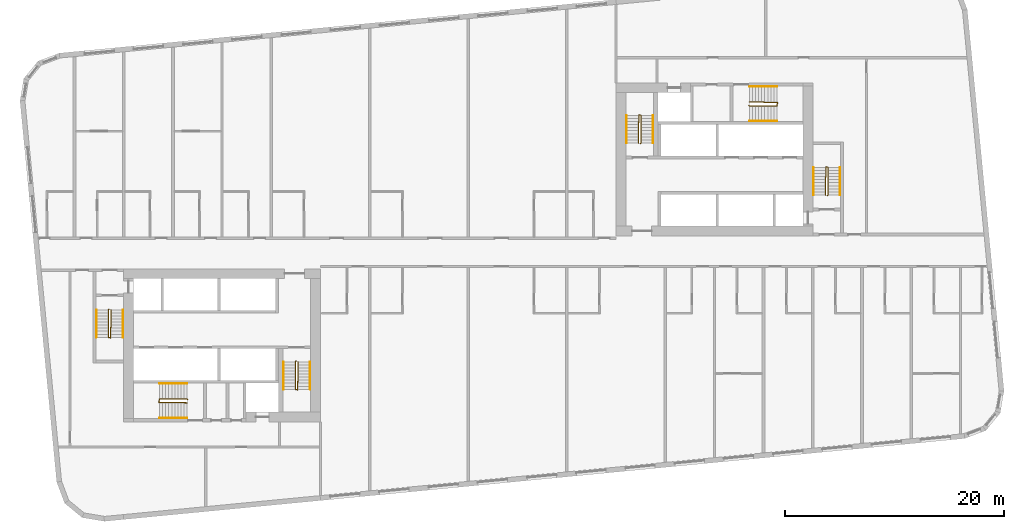
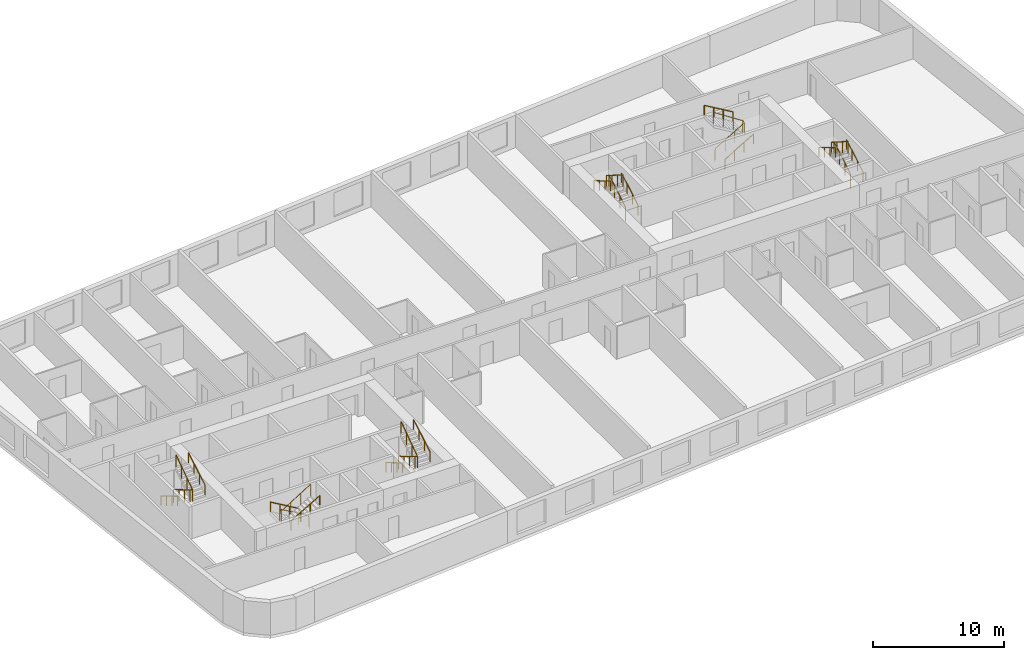
# One storey, part 12 of 12: 18 railings.
"""IFC4 building model written with IfcOpenShell, lengths in metres."""

from ifc_helpers import new_model, si_unit, direction, frame, origin, origin_2d, place, context, subcontext, project, spatial, circle, extrude, material, type_object, element, save


model = new_model("IFC4")

# Units and contexts
model_context = context("Model", 3, precision=1e-05, world=origin(), true_north=direction((0.0, 1.0)))
body_context = subcontext(model_context, "Body", "Model", "MODEL_VIEW")
ifc_project = project(units=[si_unit("LENGTHUNIT", "METRE"), si_unit("AREAUNIT", "SQUARE_METRE"), si_unit("VOLUMEUNIT", "CUBIC_METRE"), si_unit("PLANEANGLEUNIT", "RADIAN"), si_unit("MASSUNIT", "GRAM", prefix="KILO")], contexts=[model_context])

# Site, building, storey
site_placement = place(None, origin())
site = spatial("IfcSite", under=ifc_project, at=site_placement, CompositionType="ELEMENT")
building_placement = place(site_placement, origin())
building = spatial("IfcBuilding", under=site, at=building_placement, Name="Kajstack Hotel Tower", CompositionType="ELEMENT")
storey_placement = place(building_placement, frame((0.0, 0.0, 127.300048828125)))
storey = spatial("IfcBuildingStorey", under=building, at=storey_placement, Name="L28", CompositionType="ELEMENT", Elevation=127.300048828125)

# Railings
ifc_material = material(Name="Steel S355J2", Category="steel")
railing_type_1 = type_object("IfcRailingType", Name="Stair guard 1100", PredefinedType="GUARDRAIL", material=ifc_material)
railing_1_placement = place(storey_placement, frame((-32.85009765625, -5.199951171875, 0.0)))
element("IfcRailing", 1, at=railing_1_placement, inside=storey, type_object=railing_type_1, Name="L28 W1 stair guard 1", PredefinedType="GUARDRAIL", context=body_context, shape_type="SweptSolid", body=[
    extrude(circle(Radius=0.02392578125, at=origin_2d()), frame((0.0, 0.0, 1.076171875), z_axis=(-0.277450376394, -0.278810427259, 0.919394384522), x_axis=(0.708833529934, -0.705375805398, 0.0)), (0.0, 0.0, 1.0), 0.179443359375),
    extrude(circle(Radius=0.02392578125, at=origin_2d()), frame((-0.0498046875, -0.050048828125, 1.2412109375), z_axis=(0.0, -0.861560626758, 0.507654692109), x_axis=(1.0, 0.0, 0.0)), (0.0, 0.0, 1.0), 2.925048828125),
    extrude(circle(Radius=0.02392578125, at=origin_2d()), frame((-0.0498046875, -2.570068359375, 2.72607421875), z_axis=(0.970072785993, -0.242814311512, 0.0), x_axis=(0.242814311512, 0.970072785993, 0.0)), (0.0, 0.0, 1.0), 0.2060546875),
    extrude(circle(Radius=0.02392578125, at=origin_2d()), frame((0.150146484375, -2.6201171875, 2.72607421875), z_axis=(0.016384601254, 0.84136925563, 0.540212292087), x_axis=(-0.999810440751, 0.019470042781, 0.0)), (0.0, 0.0, 1.0), 3.0546875),
    extrude(circle(Radius=0.02099609375, at=origin_2d()), origin(), (0.0, 0.0, 1.0), 1.052001953125),
    extrude(circle(Radius=0.02099609375, at=origin_2d()), frame((-0.0498046875, -0.050048828125, 0.1650390625)), (0.0, 0.0, 1.0), 1.052001953125),
    extrude(circle(Radius=0.02099609375, at=origin_2d()), frame((-0.0498046875, -0.89013671875, 0.659912109375)), (0.0, 0.0, 1.0), 1.052001953125),
    extrude(circle(Radius=0.02099609375, at=origin_2d()), frame((-0.0498046875, -1.72998046875, 1.155029296875)), (0.0, 0.0, 1.0), 1.052001953125),
    extrude(circle(Radius=0.02099609375, at=origin_2d()), frame((-0.0498046875, -2.570068359375, 1.64990234375)), (0.0, 0.0, 1.0), 1.052001953125),
    extrude(circle(Radius=0.02099609375, at=origin_2d()), frame((0.150146484375, -2.6201171875, 1.64990234375)), (0.0, 0.0, 1.0), 1.052001953125),
    extrude(circle(Radius=0.02099609375, at=origin_2d()), frame((0.166748046875, -1.763427734375, 2.199951171875)), (0.0, 0.0, 1.0), 1.052001953125),
    extrude(circle(Radius=0.02099609375, at=origin_2d()), frame((0.18359375, -0.90673828125, 2.75)), (0.0, 0.0, 1.0), 1.052001953125),
    extrude(circle(Radius=0.02099609375, at=origin_2d()), frame((0.2001953125, -0.050048828125, 3.300048828125)), (0.0, 0.0, 1.0), 1.052001953125),
])
railing_2_placement = place(storey_placement, frame((-15.75, -9.949951171875, 0.0)))
element("IfcRailing", 2, at=railing_2_placement, inside=storey, type_object=railing_type_1, Name="L28 W2 stair guard 1", PredefinedType="GUARDRAIL", context=body_context, shape_type="SweptSolid", body=[
    extrude(circle(Radius=0.02392578125, at=origin_2d()), frame((0.0, 0.0, 1.076171875), z_axis=(-0.278705021027, -0.278705021027, 0.919046801044), x_axis=(0.707106781187, -0.707106781187, 0.0)), (0.0, 0.0, 1.0), 0.1796875),
    extrude(circle(Radius=0.02392578125, at=origin_2d()), frame((-0.050048828125, -0.050048828125, 1.2412109375), z_axis=(0.0, -0.861560626758, 0.507654692109), x_axis=(1.0, 0.0, 0.0)), (0.0, 0.0, 1.0), 2.925048828125),
    extrude(circle(Radius=0.02392578125, at=origin_2d()), frame((-0.050048828125, -2.570068359375, 2.72607421875), z_axis=(0.970072785993, -0.242814311512, 0.0), x_axis=(0.242814311512, 0.970072785993, 0.0)), (0.0, 0.0, 1.0), 0.2060546875),
    extrude(circle(Radius=0.02392578125, at=origin_2d()), frame((0.14990234375, -2.6201171875, 2.72607421875), z_axis=(0.016384601254, 0.84136925563, 0.540212292087), x_axis=(-0.999810440751, 0.019470042781, 0.0)), (0.0, 0.0, 1.0), 3.0546875),
    extrude(circle(Radius=0.02099609375, at=origin_2d()), origin(), (0.0, 0.0, 1.0), 1.052001953125),
    extrude(circle(Radius=0.02099609375, at=origin_2d()), frame((-0.050048828125, -0.050048828125, 0.1650390625)), (0.0, 0.0, 1.0), 1.052001953125),
    extrude(circle(Radius=0.02099609375, at=origin_2d()), frame((-0.050048828125, -0.89013671875, 0.659912109375)), (0.0, 0.0, 1.0), 1.052001953125),
    extrude(circle(Radius=0.02099609375, at=origin_2d()), frame((-0.050048828125, -1.72998046875, 1.155029296875)), (0.0, 0.0, 1.0), 1.052001953125),
    extrude(circle(Radius=0.02099609375, at=origin_2d()), frame((-0.050048828125, -2.570068359375, 1.64990234375)), (0.0, 0.0, 1.0), 1.052001953125),
    extrude(circle(Radius=0.02099609375, at=origin_2d()), frame((0.14990234375, -2.6201171875, 1.64990234375)), (0.0, 0.0, 1.0), 1.052001953125),
    extrude(circle(Radius=0.02099609375, at=origin_2d()), frame((0.16650390625, -1.763427734375, 2.199951171875)), (0.0, 0.0, 1.0), 1.052001953125),
    extrude(circle(Radius=0.02099609375, at=origin_2d()), frame((0.183349609375, -0.90673828125, 2.75)), (0.0, 0.0, 1.0), 1.052001953125),
    extrude(circle(Radius=0.02099609375, at=origin_2d()), frame((0.199951171875, -0.050048828125, 3.300048828125)), (0.0, 0.0, 1.0), 1.052001953125),
])
railing_3_placement = place(storey_placement, frame((-25.64990234375, -13.449951171875, 0.0)))
element("IfcRailing", 3, at=railing_3_placement, inside=storey, type_object=railing_type_1, Name="L28 W3 stair guard 1", PredefinedType="GUARDRAIL", context=body_context, shape_type="SweptSolid", body=[
    extrude(circle(Radius=0.02392578125, at=origin_2d()), frame((0.0, 0.0, 1.076171875), z_axis=(-0.278705021027, 0.278705021027, 0.919046801044), x_axis=(-0.707106781187, -0.707106781187, 0.0)), (0.0, 0.0, 1.0), 0.1796875),
    extrude(circle(Radius=0.02392578125, at=origin_2d()), frame((-0.050048828125, 0.050048828125, 1.2412109375), z_axis=(-0.861560626758, 0.0, 0.507654692109), x_axis=(0.0, -1.0, 0.0)), (0.0, 0.0, 1.0), 2.925048828125),
    extrude(circle(Radius=0.02392578125, at=origin_2d()), frame((-2.570068359375, 0.050048828125, 2.72607421875), z_axis=(-0.164529134168, -0.986372223864, 0.0), x_axis=(0.986372223864, -0.164529134168, 0.0)), (0.0, 0.0, 1.0), 0.30419921875),
    extrude(circle(Radius=0.02392578125, at=origin_2d()), frame((-2.6201171875, -0.25, 2.72607421875), z_axis=(0.84136925563, -0.016384601254, 0.540212292087), x_axis=(0.019470042781, 0.999810440751, 0.0)), (0.0, 0.0, 1.0), 3.0546875),
    extrude(circle(Radius=0.02099609375, at=origin_2d()), origin(), (0.0, 0.0, 1.0), 1.052001953125),
    extrude(circle(Radius=0.02099609375, at=origin_2d()), frame((-0.050048828125, 0.050048828125, 0.1650390625)), (0.0, 0.0, 1.0), 1.052001953125),
    extrude(circle(Radius=0.02099609375, at=origin_2d()), frame((-0.89013671875, 0.050048828125, 0.659912109375)), (0.0, 0.0, 1.0), 1.052001953125),
    extrude(circle(Radius=0.02099609375, at=origin_2d()), frame((-1.72998046875, 0.050048828125, 1.155029296875)), (0.0, 0.0, 1.0), 1.052001953125),
    extrude(circle(Radius=0.02099609375, at=origin_2d()), frame((-2.570068359375, 0.050048828125, 1.64990234375)), (0.0, 0.0, 1.0), 1.052001953125),
    extrude(circle(Radius=0.02099609375, at=origin_2d()), frame((-2.6201171875, -0.25, 1.64990234375)), (0.0, 0.0, 1.0), 1.052001953125),
    extrude(circle(Radius=0.02099609375, at=origin_2d()), frame((-1.763427734375, -0.2666015625, 2.199951171875)), (0.0, 0.0, 1.0), 1.052001953125),
    extrude(circle(Radius=0.02099609375, at=origin_2d()), frame((-0.90673828125, -0.283447265625, 2.75)), (0.0, 0.0, 1.0), 1.052001953125),
    extrude(circle(Radius=0.02099609375, at=origin_2d()), frame((-0.050048828125, -0.300048828125, 3.300048828125)), (0.0, 0.0, 1.0), 1.052001953125),
])
railing_4_placement = place(storey_placement, frame((32.85009765625, 5.199951171875, 0.0)))
element("IfcRailing", 4, at=railing_4_placement, inside=storey, type_object=railing_type_1, Name="L28 E1 stair guard 1", PredefinedType="GUARDRAIL", context=body_context, shape_type="SweptSolid", body=[
    extrude(circle(Radius=0.02392578125, at=origin_2d()), frame((0.0, 0.0, 1.076171875), z_axis=(0.277450376394, 0.278810427259, 0.919394384522), x_axis=(-0.708833529934, 0.705375805398, 0.0)), (0.0, 0.0, 1.0), 0.179443359375),
    extrude(circle(Radius=0.02392578125, at=origin_2d()), frame((0.0498046875, 0.050048828125, 1.2412109375), z_axis=(0.0, 0.861560626758, 0.507654692109), x_axis=(-1.0, 0.0, 0.0)), (0.0, 0.0, 1.0), 2.925048828125),
    extrude(circle(Radius=0.02392578125, at=origin_2d()), frame((0.0498046875, 2.570068359375, 2.72607421875), z_axis=(-0.970072785993, 0.242814311512, 0.0), x_axis=(-0.242814311512, -0.970072785993, 0.0)), (0.0, 0.0, 1.0), 0.2060546875),
    extrude(circle(Radius=0.02392578125, at=origin_2d()), frame((-0.150146484375, 2.6201171875, 2.72607421875), z_axis=(-0.016384601254, -0.84136925563, 0.540212292087), x_axis=(0.999810440751, -0.019470042781, 0.0)), (0.0, 0.0, 1.0), 3.0546875),
    extrude(circle(Radius=0.02099609375, at=origin_2d()), origin(), (0.0, 0.0, 1.0), 1.052001953125),
    extrude(circle(Radius=0.02099609375, at=origin_2d()), frame((0.0498046875, 0.050048828125, 0.1650390625)), (0.0, 0.0, 1.0), 1.052001953125),
    extrude(circle(Radius=0.02099609375, at=origin_2d()), frame((0.0498046875, 0.89013671875, 0.659912109375)), (0.0, 0.0, 1.0), 1.052001953125),
    extrude(circle(Radius=0.02099609375, at=origin_2d()), frame((0.0498046875, 1.72998046875, 1.155029296875)), (0.0, 0.0, 1.0), 1.052001953125),
    extrude(circle(Radius=0.02099609375, at=origin_2d()), frame((0.0498046875, 2.570068359375, 1.64990234375)), (0.0, 0.0, 1.0), 1.052001953125),
    extrude(circle(Radius=0.02099609375, at=origin_2d()), frame((-0.150146484375, 2.6201171875, 1.64990234375)), (0.0, 0.0, 1.0), 1.052001953125),
    extrude(circle(Radius=0.02099609375, at=origin_2d()), frame((-0.166748046875, 1.763427734375, 2.199951171875)), (0.0, 0.0, 1.0), 1.052001953125),
    extrude(circle(Radius=0.02099609375, at=origin_2d()), frame((-0.18359375, 0.90673828125, 2.75)), (0.0, 0.0, 1.0), 1.052001953125),
    extrude(circle(Radius=0.02099609375, at=origin_2d()), frame((-0.2001953125, 0.050048828125, 3.300048828125)), (0.0, 0.0, 1.0), 1.052001953125),
])
railing_5_placement = place(storey_placement, frame((15.75, 9.949951171875, 0.0)))
element("IfcRailing", 5, at=railing_5_placement, inside=storey, type_object=railing_type_1, Name="L28 E2 stair guard 1", PredefinedType="GUARDRAIL", context=body_context, shape_type="SweptSolid", body=[
    extrude(circle(Radius=0.02392578125, at=origin_2d()), frame((0.0, 0.0, 1.076171875), z_axis=(0.278705021027, 0.278705021027, 0.919046801044), x_axis=(-0.707106781187, 0.707106781187, 0.0)), (0.0, 0.0, 1.0), 0.1796875),
    extrude(circle(Radius=0.02392578125, at=origin_2d()), frame((0.050048828125, 0.050048828125, 1.2412109375), z_axis=(0.0, 0.861560626758, 0.507654692109), x_axis=(-1.0, 0.0, 0.0)), (0.0, 0.0, 1.0), 2.925048828125),
    extrude(circle(Radius=0.02392578125, at=origin_2d()), frame((0.050048828125, 2.570068359375, 2.72607421875), z_axis=(-0.970072785993, 0.242814311512, 0.0), x_axis=(-0.242814311512, -0.970072785993, 0.0)), (0.0, 0.0, 1.0), 0.2060546875),
    extrude(circle(Radius=0.02392578125, at=origin_2d()), frame((-0.14990234375, 2.6201171875, 2.72607421875), z_axis=(-0.016384601254, -0.84136925563, 0.540212292087), x_axis=(0.999810440751, -0.019470042781, 0.0)), (0.0, 0.0, 1.0), 3.0546875),
    extrude(circle(Radius=0.02099609375, at=origin_2d()), origin(), (0.0, 0.0, 1.0), 1.052001953125),
    extrude(circle(Radius=0.02099609375, at=origin_2d()), frame((0.050048828125, 0.050048828125, 0.1650390625)), (0.0, 0.0, 1.0), 1.052001953125),
    extrude(circle(Radius=0.02099609375, at=origin_2d()), frame((0.050048828125, 0.89013671875, 0.659912109375)), (0.0, 0.0, 1.0), 1.052001953125),
    extrude(circle(Radius=0.02099609375, at=origin_2d()), frame((0.050048828125, 1.72998046875, 1.155029296875)), (0.0, 0.0, 1.0), 1.052001953125),
    extrude(circle(Radius=0.02099609375, at=origin_2d()), frame((0.050048828125, 2.570068359375, 1.64990234375)), (0.0, 0.0, 1.0), 1.052001953125),
    extrude(circle(Radius=0.02099609375, at=origin_2d()), frame((-0.14990234375, 2.6201171875, 1.64990234375)), (0.0, 0.0, 1.0), 1.052001953125),
    extrude(circle(Radius=0.02099609375, at=origin_2d()), frame((-0.16650390625, 1.763427734375, 2.199951171875)), (0.0, 0.0, 1.0), 1.052001953125),
    extrude(circle(Radius=0.02099609375, at=origin_2d()), frame((-0.183349609375, 0.90673828125, 2.75)), (0.0, 0.0, 1.0), 1.052001953125),
    extrude(circle(Radius=0.02099609375, at=origin_2d()), frame((-0.199951171875, 0.050048828125, 3.300048828125)), (0.0, 0.0, 1.0), 1.052001953125),
])
railing_6_placement = place(storey_placement, frame((25.64990234375, 13.449951171875, 0.0)))
element("IfcRailing", 6, at=railing_6_placement, inside=storey, type_object=railing_type_1, Name="L28 E3 stair guard 1", PredefinedType="GUARDRAIL", context=body_context, shape_type="SweptSolid", body=[
    extrude(circle(Radius=0.02392578125, at=origin_2d()), frame((0.0, 0.0, 1.076171875), z_axis=(0.278705021027, -0.278705021027, 0.919046801044), x_axis=(0.707106781187, 0.707106781187, 0.0)), (0.0, 0.0, 1.0), 0.1796875),
    extrude(circle(Radius=0.02392578125, at=origin_2d()), frame((0.050048828125, -0.050048828125, 1.2412109375), z_axis=(0.861560626758, 0.0, 0.507654692109), x_axis=(0.0, 1.0, 0.0)), (0.0, 0.0, 1.0), 2.925048828125),
    extrude(circle(Radius=0.02392578125, at=origin_2d()), frame((2.570068359375, -0.050048828125, 2.72607421875), z_axis=(0.164529134168, 0.986372223864, 0.0), x_axis=(-0.986372223864, 0.164529134168, 0.0)), (0.0, 0.0, 1.0), 0.30419921875),
    extrude(circle(Radius=0.02392578125, at=origin_2d()), frame((2.6201171875, 0.25, 2.72607421875), z_axis=(-0.84136925563, 0.016384601254, 0.540212292087), x_axis=(-0.019470042781, -0.999810440751, 0.0)), (0.0, 0.0, 1.0), 3.0546875),
    extrude(circle(Radius=0.02099609375, at=origin_2d()), origin(), (0.0, 0.0, 1.0), 1.052001953125),
    extrude(circle(Radius=0.02099609375, at=origin_2d()), frame((0.050048828125, -0.050048828125, 0.1650390625)), (0.0, 0.0, 1.0), 1.052001953125),
    extrude(circle(Radius=0.02099609375, at=origin_2d()), frame((0.89013671875, -0.050048828125, 0.659912109375)), (0.0, 0.0, 1.0), 1.052001953125),
    extrude(circle(Radius=0.02099609375, at=origin_2d()), frame((1.72998046875, -0.050048828125, 1.155029296875)), (0.0, 0.0, 1.0), 1.052001953125),
    extrude(circle(Radius=0.02099609375, at=origin_2d()), frame((2.570068359375, -0.050048828125, 1.64990234375)), (0.0, 0.0, 1.0), 1.052001953125),
    extrude(circle(Radius=0.02099609375, at=origin_2d()), frame((2.6201171875, 0.25, 1.64990234375)), (0.0, 0.0, 1.0), 1.052001953125),
    extrude(circle(Radius=0.02099609375, at=origin_2d()), frame((1.763427734375, 0.2666015625, 2.199951171875)), (0.0, 0.0, 1.0), 1.052001953125),
    extrude(circle(Radius=0.02099609375, at=origin_2d()), frame((0.90673828125, 0.283447265625, 2.75)), (0.0, 0.0, 1.0), 1.052001953125),
    extrude(circle(Radius=0.02099609375, at=origin_2d()), frame((0.050048828125, 0.300048828125, 3.300048828125)), (0.0, 0.0, 1.0), 1.052001953125),
])
railing_type_2 = type_object("IfcRailingType", Name="Stair handrail 900", PredefinedType="HANDRAIL", material=ifc_material)
railing_7_placement = place(storey_placement, frame((-34.0, -5.25, 0.1650390625)))
element("IfcRailing", 7, at=railing_7_placement, inside=storey, type_object=railing_type_2, Name="L28 W1 stair handrail 1", PredefinedType="HANDRAIL", context=body_context, shape_type="SweptSolid", body=[
    extrude(circle(Radius=0.02392578125, at=origin_2d()), frame((0.0, 0.0, 0.8759765625), z_axis=(0.0, -0.861560626758, 0.507654692109), x_axis=(1.0, 0.0, 0.0)), (0.0, 0.0, 1.0), 2.925048828125),
    extrude(circle(Radius=0.02099609375, at=origin_2d()), origin(), (0.0, 0.0, 1.0), 0.851806640625),
    extrude(circle(Radius=0.02099609375, at=origin_2d()), frame((0.0, -0.840087890625, 0.494873046875)), (0.0, 0.0, 1.0), 0.851806640625),
    extrude(circle(Radius=0.02099609375, at=origin_2d()), frame((0.0, -1.679931640625, 0.989990234375)), (0.0, 0.0, 1.0), 0.851806640625),
    extrude(circle(Radius=0.02099609375, at=origin_2d()), frame((0.0, -2.52001953125, 1.48486328125)), (0.0, 0.0, 1.0), 0.851806640625),
])
railing_8_placement = place(storey_placement, frame((-31.550048828125, -7.77001953125, 1.81494140625)))
element("IfcRailing", 8, at=railing_8_placement, inside=storey, type_object=railing_type_2, Name="L28 W1 stair handrail 2", PredefinedType="HANDRAIL", context=body_context, shape_type="SweptSolid", body=[
    extrude(circle(Radius=0.02392578125, at=origin_2d()), frame((0.0, 0.0, 0.8759765625), z_axis=(0.0, 0.86152411907, 0.507716645641), x_axis=(-1.0, 0.0, 0.0)), (0.0, 0.0, 1.0), 2.925048828125),
    extrude(circle(Radius=0.02099609375, at=origin_2d()), origin(), (0.0, 0.0, 1.0), 0.851806640625),
    extrude(circle(Radius=0.02099609375, at=origin_2d()), frame((0.0, 0.840087890625, 0.4951171875)), (0.0, 0.0, 1.0), 0.851806640625),
    extrude(circle(Radius=0.02099609375, at=origin_2d()), frame((0.0, 1.679931640625, 0.989990234375)), (0.0, 0.0, 1.0), 0.851806640625),
    extrude(circle(Radius=0.02099609375, at=origin_2d()), frame((0.0, 2.52001953125, 1.485107421875)), (0.0, 0.0, 1.0), 0.851806640625),
])
railing_9_placement = place(storey_placement, frame((-16.89990234375, -10.0, 0.1650390625)))
element("IfcRailing", 9, at=railing_9_placement, inside=storey, type_object=railing_type_2, Name="L28 W2 stair handrail 1", PredefinedType="HANDRAIL", context=body_context, shape_type="SweptSolid", body=[
    extrude(circle(Radius=0.02392578125, at=origin_2d()), frame((0.0, 0.0, 0.8759765625), z_axis=(0.0, -0.861560626758, 0.507654692109), x_axis=(1.0, 0.0, 0.0)), (0.0, 0.0, 1.0), 2.925048828125),
    extrude(circle(Radius=0.02099609375, at=origin_2d()), origin(), (0.0, 0.0, 1.0), 0.851806640625),
    extrude(circle(Radius=0.02099609375, at=origin_2d()), frame((0.0, -0.840087890625, 0.494873046875)), (0.0, 0.0, 1.0), 0.851806640625),
    extrude(circle(Radius=0.02099609375, at=origin_2d()), frame((0.0, -1.679931640625, 0.989990234375)), (0.0, 0.0, 1.0), 0.851806640625),
    extrude(circle(Radius=0.02099609375, at=origin_2d()), frame((0.0, -2.52001953125, 1.48486328125)), (0.0, 0.0, 1.0), 0.851806640625),
])
railing_10_placement = place(storey_placement, frame((-14.449951171875, -12.52001953125, 1.81494140625)))
element("IfcRailing", 10, at=railing_10_placement, inside=storey, type_object=railing_type_2, Name="L28 W2 stair handrail 2", PredefinedType="HANDRAIL", context=body_context, shape_type="SweptSolid", body=[
    extrude(circle(Radius=0.02392578125, at=origin_2d()), frame((0.0, 0.0, 0.8759765625), z_axis=(0.0, 0.86152411907, 0.507716645641), x_axis=(-1.0, 0.0, 0.0)), (0.0, 0.0, 1.0), 2.925048828125),
    extrude(circle(Radius=0.02099609375, at=origin_2d()), origin(), (0.0, 0.0, 1.0), 0.851806640625),
    extrude(circle(Radius=0.02099609375, at=origin_2d()), frame((0.0, 0.840087890625, 0.4951171875)), (0.0, 0.0, 1.0), 0.851806640625),
    extrude(circle(Radius=0.02099609375, at=origin_2d()), frame((0.0, 1.679931640625, 0.989990234375)), (0.0, 0.0, 1.0), 0.851806640625),
    extrude(circle(Radius=0.02099609375, at=origin_2d()), frame((0.0, 2.52001953125, 1.485107421875)), (0.0, 0.0, 1.0), 0.851806640625),
])
railing_11_placement = place(storey_placement, frame((-25.699951171875, -12.0, 0.1650390625)))
element("IfcRailing", 11, at=railing_11_placement, inside=storey, type_object=railing_type_2, Name="L28 W3 stair handrail 1", PredefinedType="HANDRAIL", context=body_context, shape_type="SweptSolid", body=[
    extrude(circle(Radius=0.02392578125, at=origin_2d()), frame((0.0, 0.0, 0.8759765625), z_axis=(-0.861560626758, 0.0, 0.507654692109), x_axis=(0.0, -1.0, 0.0)), (0.0, 0.0, 1.0), 2.925048828125),
    extrude(circle(Radius=0.02099609375, at=origin_2d()), origin(), (0.0, 0.0, 1.0), 0.851806640625),
    extrude(circle(Radius=0.02099609375, at=origin_2d()), frame((-0.840087890625, 0.0, 0.494873046875)), (0.0, 0.0, 1.0), 0.851806640625),
    extrude(circle(Radius=0.02099609375, at=origin_2d()), frame((-1.679931640625, 0.0, 0.989990234375)), (0.0, 0.0, 1.0), 0.851806640625),
    extrude(circle(Radius=0.02099609375, at=origin_2d()), frame((-2.52001953125, 0.0, 1.48486328125)), (0.0, 0.0, 1.0), 0.851806640625),
])
railing_12_placement = place(storey_placement, frame((-28.219970703125, -15.14990234375, 1.81494140625)))
element("IfcRailing", 12, at=railing_12_placement, inside=storey, type_object=railing_type_2, Name="L28 W3 stair handrail 2", PredefinedType="HANDRAIL", context=body_context, shape_type="SweptSolid", body=[
    extrude(circle(Radius=0.02392578125, at=origin_2d()), frame((0.0, 0.0, 0.8759765625), z_axis=(0.86152411907, 0.0, 0.507716645641), x_axis=(0.0, 1.0, 0.0)), (0.0, 0.0, 1.0), 2.925048828125),
    extrude(circle(Radius=0.02099609375, at=origin_2d()), origin(), (0.0, 0.0, 1.0), 0.851806640625),
    extrude(circle(Radius=0.02099609375, at=origin_2d()), frame((0.840087890625, 0.0, 0.4951171875)), (0.0, 0.0, 1.0), 0.851806640625),
    extrude(circle(Radius=0.02099609375, at=origin_2d()), frame((1.679931640625, 0.0, 0.989990234375)), (0.0, 0.0, 1.0), 0.851806640625),
    extrude(circle(Radius=0.02099609375, at=origin_2d()), frame((2.52001953125, 0.0, 1.485107421875)), (0.0, 0.0, 1.0), 0.851806640625),
])
railing_13_placement = place(storey_placement, frame((34.0, 5.25, 0.1650390625)))
element("IfcRailing", 13, at=railing_13_placement, inside=storey, type_object=railing_type_2, Name="L28 E1 stair handrail 1", PredefinedType="HANDRAIL", context=body_context, shape_type="SweptSolid", body=[
    extrude(circle(Radius=0.02392578125, at=origin_2d()), frame((0.0, 0.0, 0.8759765625), z_axis=(0.0, 0.861560626758, 0.507654692109), x_axis=(-1.0, 0.0, 0.0)), (0.0, 0.0, 1.0), 2.925048828125),
    extrude(circle(Radius=0.02099609375, at=origin_2d()), origin(), (0.0, 0.0, 1.0), 0.851806640625),
    extrude(circle(Radius=0.02099609375, at=origin_2d()), frame((0.0, 0.840087890625, 0.494873046875)), (0.0, 0.0, 1.0), 0.851806640625),
    extrude(circle(Radius=0.02099609375, at=origin_2d()), frame((0.0, 1.679931640625, 0.989990234375)), (0.0, 0.0, 1.0), 0.851806640625),
    extrude(circle(Radius=0.02099609375, at=origin_2d()), frame((0.0, 2.52001953125, 1.48486328125)), (0.0, 0.0, 1.0), 0.851806640625),
])
railing_14_placement = place(storey_placement, frame((31.550048828125, 7.77001953125, 1.81494140625)))
element("IfcRailing", 14, at=railing_14_placement, inside=storey, type_object=railing_type_2, Name="L28 E1 stair handrail 2", PredefinedType="HANDRAIL", context=body_context, shape_type="SweptSolid", body=[
    extrude(circle(Radius=0.02392578125, at=origin_2d()), frame((0.0, 0.0, 0.8759765625), z_axis=(0.0, -0.86152411907, 0.507716645641), x_axis=(1.0, 0.0, 0.0)), (0.0, 0.0, 1.0), 2.925048828125),
    extrude(circle(Radius=0.02099609375, at=origin_2d()), origin(), (0.0, 0.0, 1.0), 0.851806640625),
    extrude(circle(Radius=0.02099609375, at=origin_2d()), frame((0.0, -0.840087890625, 0.4951171875)), (0.0, 0.0, 1.0), 0.851806640625),
    extrude(circle(Radius=0.02099609375, at=origin_2d()), frame((0.0, -1.679931640625, 0.989990234375)), (0.0, 0.0, 1.0), 0.851806640625),
    extrude(circle(Radius=0.02099609375, at=origin_2d()), frame((0.0, -2.52001953125, 1.485107421875)), (0.0, 0.0, 1.0), 0.851806640625),
])
railing_15_placement = place(storey_placement, frame((16.89990234375, 10.0, 0.1650390625)))
element("IfcRailing", 15, at=railing_15_placement, inside=storey, type_object=railing_type_2, Name="L28 E2 stair handrail 1", PredefinedType="HANDRAIL", context=body_context, shape_type="SweptSolid", body=[
    extrude(circle(Radius=0.02392578125, at=origin_2d()), frame((0.0, 0.0, 0.8759765625), z_axis=(0.0, 0.861560626758, 0.507654692109), x_axis=(-1.0, 0.0, 0.0)), (0.0, 0.0, 1.0), 2.925048828125),
    extrude(circle(Radius=0.02099609375, at=origin_2d()), origin(), (0.0, 0.0, 1.0), 0.851806640625),
    extrude(circle(Radius=0.02099609375, at=origin_2d()), frame((0.0, 0.840087890625, 0.494873046875)), (0.0, 0.0, 1.0), 0.851806640625),
    extrude(circle(Radius=0.02099609375, at=origin_2d()), frame((0.0, 1.679931640625, 0.989990234375)), (0.0, 0.0, 1.0), 0.851806640625),
    extrude(circle(Radius=0.02099609375, at=origin_2d()), frame((0.0, 2.52001953125, 1.48486328125)), (0.0, 0.0, 1.0), 0.851806640625),
])
railing_16_placement = place(storey_placement, frame((14.449951171875, 12.52001953125, 1.81494140625)))
element("IfcRailing", 16, at=railing_16_placement, inside=storey, type_object=railing_type_2, Name="L28 E2 stair handrail 2", PredefinedType="HANDRAIL", context=body_context, shape_type="SweptSolid", body=[
    extrude(circle(Radius=0.02392578125, at=origin_2d()), frame((0.0, 0.0, 0.8759765625), z_axis=(0.0, -0.86152411907, 0.507716645641), x_axis=(1.0, 0.0, 0.0)), (0.0, 0.0, 1.0), 2.925048828125),
    extrude(circle(Radius=0.02099609375, at=origin_2d()), origin(), (0.0, 0.0, 1.0), 0.851806640625),
    extrude(circle(Radius=0.02099609375, at=origin_2d()), frame((0.0, -0.840087890625, 0.4951171875)), (0.0, 0.0, 1.0), 0.851806640625),
    extrude(circle(Radius=0.02099609375, at=origin_2d()), frame((0.0, -1.679931640625, 0.989990234375)), (0.0, 0.0, 1.0), 0.851806640625),
    extrude(circle(Radius=0.02099609375, at=origin_2d()), frame((0.0, -2.52001953125, 1.485107421875)), (0.0, 0.0, 1.0), 0.851806640625),
])
railing_17_placement = place(storey_placement, frame((25.699951171875, 12.0, 0.1650390625)))
element("IfcRailing", 17, at=railing_17_placement, inside=storey, type_object=railing_type_2, Name="L28 E3 stair handrail 1", PredefinedType="HANDRAIL", context=body_context, shape_type="SweptSolid", body=[
    extrude(circle(Radius=0.02392578125, at=origin_2d()), frame((0.0, 0.0, 0.8759765625), z_axis=(0.861560626758, 0.0, 0.507654692109), x_axis=(0.0, 1.0, 0.0)), (0.0, 0.0, 1.0), 2.925048828125),
    extrude(circle(Radius=0.02099609375, at=origin_2d()), origin(), (0.0, 0.0, 1.0), 0.851806640625),
    extrude(circle(Radius=0.02099609375, at=origin_2d()), frame((0.840087890625, 0.0, 0.494873046875)), (0.0, 0.0, 1.0), 0.851806640625),
    extrude(circle(Radius=0.02099609375, at=origin_2d()), frame((1.679931640625, 0.0, 0.989990234375)), (0.0, 0.0, 1.0), 0.851806640625),
    extrude(circle(Radius=0.02099609375, at=origin_2d()), frame((2.52001953125, 0.0, 1.48486328125)), (0.0, 0.0, 1.0), 0.851806640625),
])
railing_18_placement = place(storey_placement, frame((28.219970703125, 15.14990234375, 1.81494140625)))
element("IfcRailing", 18, at=railing_18_placement, inside=storey, type_object=railing_type_2, Name="L28 E3 stair handrail 2", PredefinedType="HANDRAIL", context=body_context, shape_type="SweptSolid", body=[
    extrude(circle(Radius=0.02392578125, at=origin_2d()), frame((0.0, 0.0, 0.8759765625), z_axis=(-0.86152411907, 0.0, 0.507716645641), x_axis=(0.0, -1.0, 0.0)), (0.0, 0.0, 1.0), 2.925048828125),
    extrude(circle(Radius=0.02099609375, at=origin_2d()), origin(), (0.0, 0.0, 1.0), 0.851806640625),
    extrude(circle(Radius=0.02099609375, at=origin_2d()), frame((-0.840087890625, 0.0, 0.4951171875)), (0.0, 0.0, 1.0), 0.851806640625),
    extrude(circle(Radius=0.02099609375, at=origin_2d()), frame((-1.679931640625, 0.0, 0.989990234375)), (0.0, 0.0, 1.0), 0.851806640625),
    extrude(circle(Radius=0.02099609375, at=origin_2d()), frame((-2.52001953125, 0.0, 1.485107421875)), (0.0, 0.0, 1.0), 0.851806640625),
])

save(model, "model.ifc")
